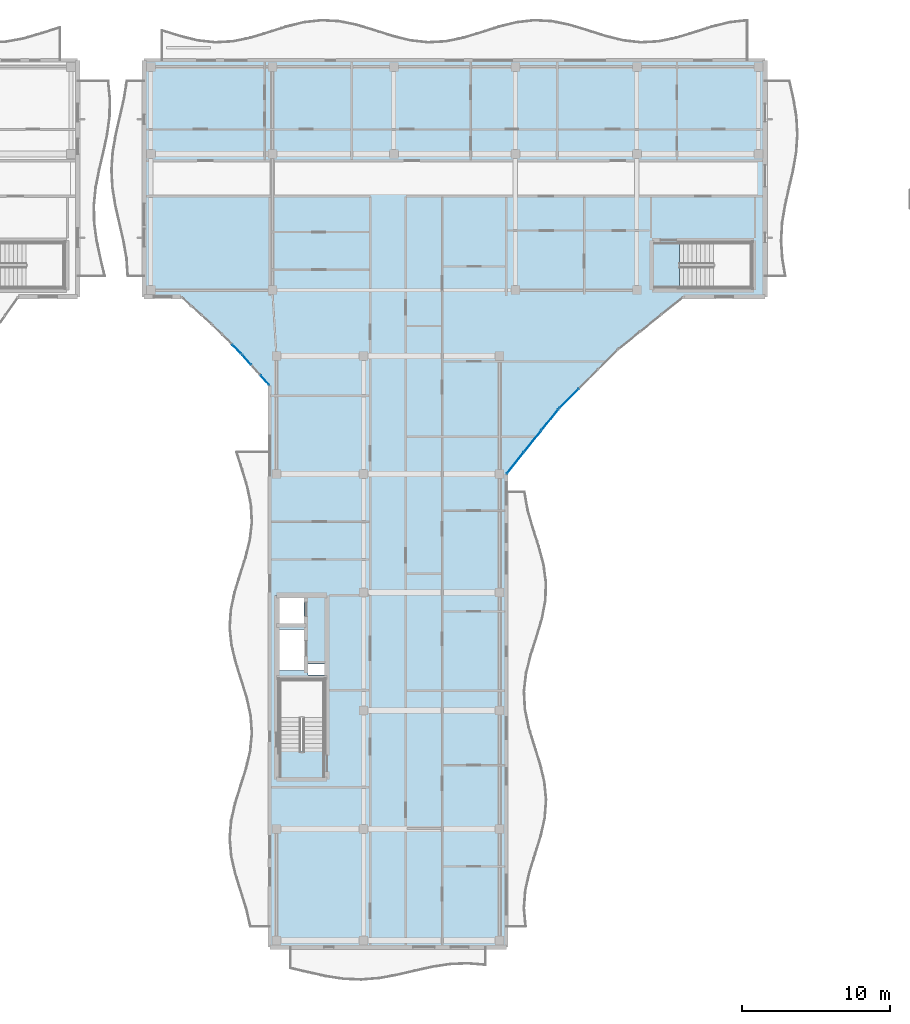
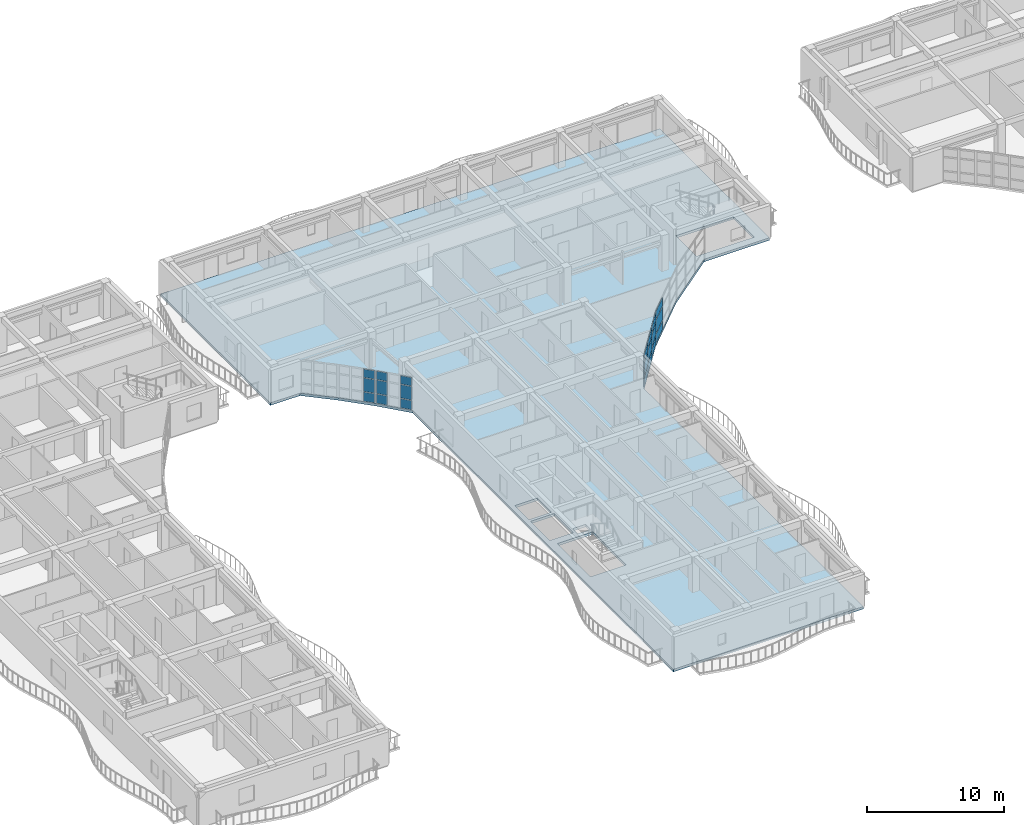
# One storey, part 25 of 76: 21 plates, 1 slab, 4 elements without a shape of their own.
"""IFC4 building model written with IfcOpenShell, lengths in metres."""

from ifc_helpers import new_model, si_unit, direction, frame, origin, origin_2d, place, context, subcontext, project, spatial, polyline, rectangle, outline, extrude, material, layer, layer_set, type_object, element, aggregate, save


model = new_model("IFC4")

# Units and contexts
model_context = context("Model", 3, precision=1e-05, world=origin(), true_north=direction((0.0, 1.0)))
body_context = subcontext(model_context, "Body", "Model", "MODEL_VIEW")
ifc_project = project(units=[si_unit("LENGTHUNIT", "METRE"), si_unit("AREAUNIT", "SQUARE_METRE"), si_unit("VOLUMEUNIT", "CUBIC_METRE"), si_unit("PLANEANGLEUNIT", "RADIAN"), si_unit("MASSUNIT", "GRAM", prefix="KILO")], contexts=[model_context])

# Site, building, storey
site_placement = place(None, origin())
site = spatial("IfcSite", under=ifc_project, at=site_placement, CompositionType="ELEMENT")
building_placement = place(site_placement, origin())
building = spatial("IfcBuilding", under=site, at=building_placement, Name="Keldmere Railside Commons", CompositionType="ELEMENT")
storey_placement = place(building_placement, frame((0.0, 0.0, 13.760009765625)))
storey = spatial("IfcBuildingStorey", under=building, at=storey_placement, Name="L04", CompositionType="ELEMENT", Elevation=13.760009765625)

# Curtain wall, plates
ifc_material_1 = material(Name="Thermally Broken Aluminium", Category="aluminium")
ifc_layer_1 = layer(ifc_material_1, 0.159912109375, Name="Court Chord Wintergarden CW 5400x2850")
ifc_layer_set_1 = layer_set([ifc_layer_1], Name="Thermally Broken Aluminium")
curtain_wall_type_1 = type_object("IfcCurtainWallType", Name="Court Chord Wintergarden CW 5400x2850", PredefinedType="NOTDEFINED", material=ifc_layer_set_1)
curtain_wall_1_placement = place(storey_placement, origin())
curtain_wall_1 = element("IfcCurtainWall", 1, at=curtain_wall_1_placement, inside=storey, type_object=curtain_wall_type_1, Name="CW-13 CW-L04-050", PredefinedType="NOTDEFINED")
ifc_material_2 = material(Name="Insulated Aluminium Spandrel Panel", Category="aluminium")
ifc_layer_2 = layer(ifc_material_2, 0.0439453125, Name="Insulated Ocher Spandrel Panel 44")
ifc_layer_set_2 = layer_set([ifc_layer_2], Name="Insulated Aluminium Spandrel Panel")
plate_type_1 = type_object("IfcPlateType", Name="Insulated Ocher Spandrel Panel 44", PredefinedType="CURTAIN_PANEL", material=ifc_layer_set_2)
plate_1_placement = place(storey_placement, frame((68.23486328125, 93.11083984375, 0.06494140625), z_axis=(0.0, 0.0, 1.0), x_axis=(-0.707106781187, -0.707106781187, 0.0)))
plate_1 = element("IfcPlate", 2, at=plate_1_placement, type_object=plate_type_1, Name="CW-13 panel 3.1", PredefinedType="CURTAIN_PANEL", context=body_context, shape_type="SweptSolid", body=[
    extrude(rectangle(XDim=1.795654296875, YDim=0.0439453125, at=origin_2d()), origin(), (0.0, 0.0, 1.0), 0.802490234375),
])
plate_2_placement = place(storey_placement, frame((68.23486328125, 93.11083984375, 0.932373046875), z_axis=(0.0, 0.0, 1.0), x_axis=(-0.707106781187, -0.707106781187, 0.0)))
plate_2 = element("IfcPlate", 3, at=plate_2_placement, type_object=plate_type_1, Name="CW-13 panel 3.2", PredefinedType="CURTAIN_PANEL", context=body_context, shape_type="SweptSolid", body=[
    extrude(rectangle(XDim=1.795654296875, YDim=0.0439453125, at=origin_2d()), origin(), (0.0, 0.0, 1.0), 1.18505859375),
])
plate_3_placement = place(storey_placement, frame((68.23486328125, 93.11083984375, 2.1826171875), z_axis=(0.0, 0.0, 1.0), x_axis=(-0.707106781187, -0.707106781187, 0.0)))
plate_3 = element("IfcPlate", 4, at=plate_3_placement, type_object=plate_type_1, Name="CW-13 panel 3.3", PredefinedType="CURTAIN_PANEL", context=body_context, shape_type="SweptSolid", body=[
    extrude(rectangle(XDim=1.795654296875, YDim=0.0439453125, at=origin_2d()), origin(), (0.0, 0.0, 1.0), 0.732421875),
])
aggregate(curtain_wall_1, [plate_1, plate_2, plate_3])

ifc_layer_3 = layer(ifc_material_1, 0.159912109375, Name="Court Chord Wintergarden CW 4800x2850")
ifc_layer_set_3 = layer_set([ifc_layer_3], Name="Thermally Broken Aluminium")
curtain_wall_type_2 = type_object("IfcCurtainWallType", Name="Court Chord Wintergarden CW 4800x2850", PredefinedType="NOTDEFINED", material=ifc_layer_set_3)
curtain_wall_2_placement = place(storey_placement, origin())
curtain_wall_2 = element("IfcCurtainWall", 5, at=curtain_wall_2_placement, inside=storey, type_object=curtain_wall_type_2, Name="CW-12 CW-L04-054", PredefinedType="NOTDEFINED")
plate_4_placement = place(storey_placement, frame((47.674072265625, 94.363525390625, 0.06494140625), z_axis=(0.0, 0.0, 1.0), x_axis=(-0.667558519879, 0.744557333277, 0.0)))
plate_4 = element("IfcPlate", 6, at=plate_4_placement, type_object=plate_type_1, Name="CW-12 panel 1.1", PredefinedType="CURTAIN_PANEL", context=body_context, shape_type="SweptSolid", body=[
    extrude(rectangle(XDim=0.84619140625, YDim=0.0439453125, at=origin_2d()), origin(), (0.0, 0.0, 1.0), 0.802490234375),
])
plate_5_placement = place(storey_placement, frame((47.674072265625, 94.363525390625, 0.932373046875), z_axis=(0.0, 0.0, 1.0), x_axis=(-0.667558519879, 0.744557333277, 0.0)))
plate_5 = element("IfcPlate", 7, at=plate_5_placement, type_object=plate_type_1, Name="CW-12 panel 1.2", PredefinedType="CURTAIN_PANEL", context=body_context, shape_type="SweptSolid", body=[
    extrude(rectangle(XDim=0.84619140625, YDim=0.0439453125, at=origin_2d()), origin(), (0.0, 0.0, 1.0), 1.18505859375),
])
plate_6_placement = place(storey_placement, frame((47.674072265625, 94.363525390625, 2.1826171875), z_axis=(0.0, 0.0, 1.0), x_axis=(-0.667558519879, 0.744557333277, 0.0)))
plate_6 = element("IfcPlate", 8, at=plate_6_placement, type_object=plate_type_1, Name="CW-12 panel 1.3", PredefinedType="CURTAIN_PANEL", context=body_context, shape_type="SweptSolid", body=[
    extrude(rectangle(XDim=0.84619140625, YDim=0.0439453125, at=origin_2d()), origin(), (0.0, 0.0, 1.0), 0.732421875),
])
plate_7_placement = place(storey_placement, frame((46.435791015625, 95.74462890625, 0.06494140625), z_axis=(0.0, 0.0, 1.0), x_axis=(-0.667558519879, 0.744557333277, 0.0)))
plate_7 = element("IfcPlate", 9, at=plate_7_placement, type_object=plate_type_1, Name="CW-12 panel 3.1", PredefinedType="CURTAIN_PANEL", context=body_context, shape_type="SweptSolid", body=[
    extrude(rectangle(XDim=0.84619140625, YDim=0.0439453125, at=origin_2d()), origin(), (0.0, 0.0, 1.0), 0.802490234375),
])
plate_8_placement = place(storey_placement, frame((46.435791015625, 95.74462890625, 0.932373046875), z_axis=(0.0, 0.0, 1.0), x_axis=(-0.667558519879, 0.744557333277, 0.0)))
plate_8 = element("IfcPlate", 10, at=plate_8_placement, type_object=plate_type_1, Name="CW-12 panel 3.2", PredefinedType="CURTAIN_PANEL", context=body_context, shape_type="SweptSolid", body=[
    extrude(rectangle(XDim=0.84619140625, YDim=0.0439453125, at=origin_2d()), origin(), (0.0, 0.0, 1.0), 1.18505859375),
])
plate_9_placement = place(storey_placement, frame((46.435791015625, 95.74462890625, 2.1826171875), z_axis=(0.0, 0.0, 1.0), x_axis=(-0.667558519879, 0.744557333277, 0.0)))
plate_9 = element("IfcPlate", 11, at=plate_9_placement, type_object=plate_type_1, Name="CW-12 panel 3.3", PredefinedType="CURTAIN_PANEL", context=body_context, shape_type="SweptSolid", body=[
    extrude(rectangle(XDim=0.84619140625, YDim=0.0439453125, at=origin_2d()), origin(), (0.0, 0.0, 1.0), 0.732421875),
])
aggregate(curtain_wall_2, [plate_4, plate_5, plate_6, plate_7, plate_8, plate_9])

curtain_wall_3_placement = place(storey_placement, origin())
curtain_wall_3 = element("IfcCurtainWall", 12, at=curtain_wall_3_placement, inside=storey, type_object=curtain_wall_type_2, Name="CW-12 CW-L04-049", PredefinedType="NOTDEFINED")
ifc_layer_4 = layer(ifc_material_2, 0.050048828125, Name="Insulated Terracotta Spandrel Panel 50")
ifc_layer_set_4 = layer_set([ifc_layer_4], Name="Insulated Aluminium Spandrel Panel")
plate_type_2 = type_object("IfcPlateType", Name="Insulated Terracotta Spandrel Panel 50", PredefinedType="CURTAIN_PANEL", material=ifc_layer_set_4)
plate_10_placement = place(storey_placement, frame((66.951416015625, 91.678955078125, 0.06494140625), z_axis=(0.0, 0.0, 1.0), x_axis=(-0.625768080915, -0.780009172323, 0.0)))
plate_10 = element("IfcPlate", 13, at=plate_10_placement, type_object=plate_type_2, Name="CW-12 panel 1.1", PredefinedType="CURTAIN_PANEL", context=body_context, shape_type="SweptSolid", body=[
    extrude(rectangle(XDim=1.795654296875, YDim=0.050048828125, at=origin_2d()), origin(), (0.0, 0.0, 1.0), 0.802490234375),
])
plate_11_placement = place(storey_placement, frame((66.951416015625, 91.678955078125, 0.932373046875), z_axis=(0.0, 0.0, 1.0), x_axis=(-0.625768080915, -0.780009172323, 0.0)))
plate_11 = element("IfcPlate", 14, at=plate_11_placement, type_object=plate_type_2, Name="CW-12 panel 1.2", PredefinedType="CURTAIN_PANEL", context=body_context, shape_type="SweptSolid", body=[
    extrude(rectangle(XDim=1.795654296875, YDim=0.050048828125, at=origin_2d()), origin(), (0.0, 0.0, 1.0), 1.18505859375),
])
plate_12_placement = place(storey_placement, frame((66.951416015625, 91.678955078125, 2.1826171875), z_axis=(0.0, 0.0, 1.0), x_axis=(-0.625768080915, -0.780009172323, 0.0)))
plate_12 = element("IfcPlate", 15, at=plate_12_placement, type_object=plate_type_2, Name="CW-12 panel 1.3", PredefinedType="CURTAIN_PANEL", context=body_context, shape_type="SweptSolid", body=[
    extrude(rectangle(XDim=1.795654296875, YDim=0.050048828125, at=origin_2d()), origin(), (0.0, 0.0, 1.0), 0.732421875),
])
plate_13_placement = place(storey_placement, frame((65.777099609375, 90.215087890625, 0.06494140625), z_axis=(0.0, 0.0, 1.0), x_axis=(-0.625768080915, -0.780009172323, 0.0)))
plate_13 = element("IfcPlate", 16, at=plate_13_placement, type_object=plate_type_2, Name="CW-12 panel 2.1", PredefinedType="CURTAIN_PANEL", context=body_context, shape_type="SweptSolid", body=[
    extrude(rectangle(XDim=1.828125, YDim=0.050048828125, at=origin_2d()), origin(), (0.0, 0.0, 1.0), 0.802490234375),
])
plate_14_placement = place(storey_placement, frame((65.777099609375, 90.215087890625, 0.932373046875), z_axis=(0.0, 0.0, 1.0), x_axis=(-0.625768080915, -0.780009172323, 0.0)))
plate_14 = element("IfcPlate", 17, at=plate_14_placement, type_object=plate_type_2, Name="CW-12 panel 2.2", PredefinedType="CURTAIN_PANEL", context=body_context, shape_type="SweptSolid", body=[
    extrude(rectangle(XDim=1.828125, YDim=0.050048828125, at=origin_2d()), origin(), (0.0, 0.0, 1.0), 1.18505859375),
])
plate_15_placement = place(storey_placement, frame((65.777099609375, 90.215087890625, 2.1826171875), z_axis=(0.0, 0.0, 1.0), x_axis=(-0.625768080915, -0.780009172323, 0.0)))
plate_15 = element("IfcPlate", 18, at=plate_15_placement, type_object=plate_type_2, Name="CW-12 panel 2.3", PredefinedType="CURTAIN_PANEL", context=body_context, shape_type="SweptSolid", body=[
    extrude(rectangle(XDim=1.828125, YDim=0.050048828125, at=origin_2d()), origin(), (0.0, 0.0, 1.0), 0.732421875),
])
plate_16_placement = place(storey_placement, frame((64.6025390625, 88.7509765625, 0.06494140625), z_axis=(0.0, 0.0, 1.0), x_axis=(-0.625768080915, -0.780009172323, 0.0)))
plate_16 = element("IfcPlate", 19, at=plate_16_placement, type_object=plate_type_2, Name="CW-12 panel 3.1", PredefinedType="CURTAIN_PANEL", context=body_context, shape_type="SweptSolid", body=[
    extrude(rectangle(XDim=1.795654296875, YDim=0.050048828125, at=origin_2d()), origin(), (0.0, 0.0, 1.0), 0.802490234375),
])
plate_17_placement = place(storey_placement, frame((64.6025390625, 88.7509765625, 0.932373046875), z_axis=(0.0, 0.0, 1.0), x_axis=(-0.625768080915, -0.780009172323, 0.0)))
plate_17 = element("IfcPlate", 20, at=plate_17_placement, type_object=plate_type_2, Name="CW-12 panel 3.2", PredefinedType="CURTAIN_PANEL", context=body_context, shape_type="SweptSolid", body=[
    extrude(rectangle(XDim=1.795654296875, YDim=0.050048828125, at=origin_2d()), origin(), (0.0, 0.0, 1.0), 1.18505859375),
])
plate_18_placement = place(storey_placement, frame((64.6025390625, 88.7509765625, 2.1826171875), z_axis=(0.0, 0.0, 1.0), x_axis=(-0.625768080915, -0.780009172323, 0.0)))
plate_18 = element("IfcPlate", 21, at=plate_18_placement, type_object=plate_type_2, Name="CW-12 panel 3.3", PredefinedType="CURTAIN_PANEL", context=body_context, shape_type="SweptSolid", body=[
    extrude(rectangle(XDim=1.795654296875, YDim=0.050048828125, at=origin_2d()), origin(), (0.0, 0.0, 1.0), 0.732421875),
])
aggregate(curtain_wall_3, [plate_10, plate_11, plate_12, plate_13, plate_14, plate_15, plate_16, plate_17, plate_18])

curtain_wall_4_placement = place(storey_placement, origin())
curtain_wall_4 = element("IfcCurtainWall", 22, at=curtain_wall_4_placement, inside=storey, type_object=curtain_wall_type_1, Name="CW-13 CW-L04-053", PredefinedType="NOTDEFINED")
plate_19_placement = place(storey_placement, frame((45.764892578125, 96.453125, 0.06494140625), z_axis=(0.0, 0.0, 1.0), x_axis=(-0.707106781187, 0.707106781187, 0.0)))
plate_19 = element("IfcPlate", 23, at=plate_19_placement, type_object=plate_type_2, Name="CW-13 panel 1.1", PredefinedType="CURTAIN_PANEL", context=body_context, shape_type="SweptSolid", body=[
    extrude(rectangle(XDim=0.84619140625, YDim=0.050048828125, at=origin_2d()), origin(), (0.0, 0.0, 1.0), 0.802490234375),
])
plate_20_placement = place(storey_placement, frame((45.764892578125, 96.453125, 0.932373046875), z_axis=(0.0, 0.0, 1.0), x_axis=(-0.707106781187, 0.707106781187, 0.0)))
plate_20 = element("IfcPlate", 24, at=plate_20_placement, type_object=plate_type_2, Name="CW-13 panel 1.2", PredefinedType="CURTAIN_PANEL", context=body_context, shape_type="SweptSolid", body=[
    extrude(rectangle(XDim=0.84619140625, YDim=0.050048828125, at=origin_2d()), origin(), (0.0, 0.0, 1.0), 1.18505859375),
])
plate_21_placement = place(storey_placement, frame((45.764892578125, 96.453125, 2.1826171875), z_axis=(0.0, 0.0, 1.0), x_axis=(-0.707106781187, 0.707106781187, 0.0)))
plate_21 = element("IfcPlate", 25, at=plate_21_placement, type_object=plate_type_2, Name="CW-13 panel 1.3", PredefinedType="CURTAIN_PANEL", context=body_context, shape_type="SweptSolid", body=[
    extrude(rectangle(XDim=0.84619140625, YDim=0.050048828125, at=origin_2d()), origin(), (0.0, 0.0, 1.0), 0.732421875),
])
aggregate(curtain_wall_4, [plate_19, plate_20, plate_21])

# Slab
ifc_material_3 = material(Name="Concrete H-30 (C30/37)", Category="concrete")
ifc_layer_5 = layer(ifc_material_3, 0.219970703125, Name="Residential Flat Slab 220")
ifc_layer_set_5 = layer_set([ifc_layer_5], Name="Concrete H-30 (C30/37)")
slab_type = type_object("IfcSlabType", Name="Residential Flat Slab 220", PredefinedType="FLOOR", material=ifc_layer_set_5)
slab_placement = place(storey_placement, frame((0.0, 0.0, -0.219970703125)))
element("IfcSlab", 26, at=slab_placement, inside=storey, type_object=slab_type, Name="FS-2 BLKC-L04-024", PredefinedType="FLOOR", context=body_context, shape_type="SweptSolid", body=[
    extrude(outline(polyline([(48.0, 56.0), (64.0, 56.0), (64.0, 88.0), (67.553955078125, 92.429931640625), (71.570068359375, 96.446044921875), (76.0, 100.0), (81.5, 100.0), (81.5, 116.0), (39.5, 116.0), (39.5, 100.0), (42.0, 100.0), (44.10791015625, 98.110107421875), (46.110107421875, 96.10791015625), (48.0, 94.0), (48.0, 56.0)]), holes=[polyline([(51.675048828125, 69.22509765625), (48.675048828125, 69.22509765625), (48.675048828125, 74.074951171875), (51.675048828125, 74.074951171875), (51.675048828125, 69.22509765625)]), polyline([(50.60009765625, 74.419921875), (50.60009765625, 75.159912109375), (51.699951171875, 75.159912109375), (51.699951171875, 74.419921875), (50.60009765625, 74.419921875)]), polyline([(50.39990234375, 74.699951171875), (48.39990234375, 74.699951171875), (48.39990234375, 77.5), (50.39990234375, 77.5), (50.39990234375, 74.699951171875)]), polyline([(50.300048828125, 77.75), (48.39990234375, 77.75), (48.39990234375, 79.800048828125), (50.300048828125, 79.800048828125), (50.300048828125, 77.75)]), polyline([(75.72509765625, 103.625), (80.574951171875, 103.625), (80.574951171875, 100.625), (75.72509765625, 100.625), (75.72509765625, 103.625)])]), origin(), (0.0, 0.0, 1.0), 0.219970703125),
])

save(model, "model.ifc")
